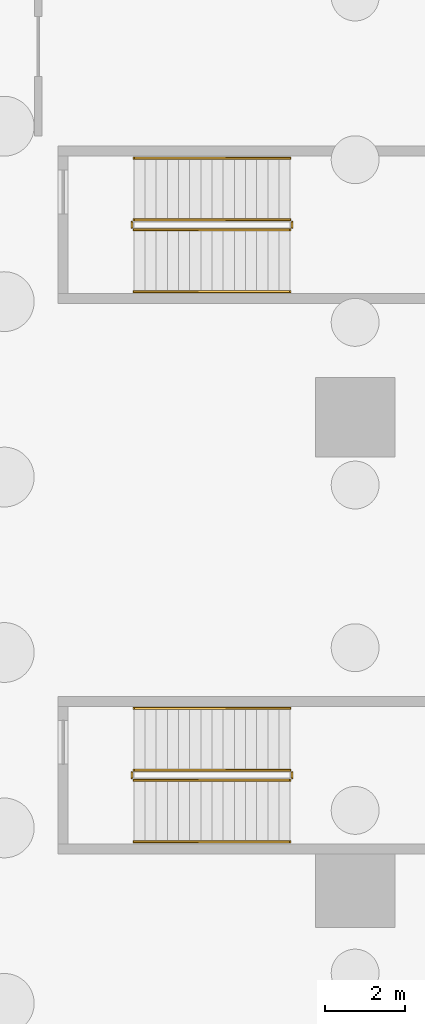
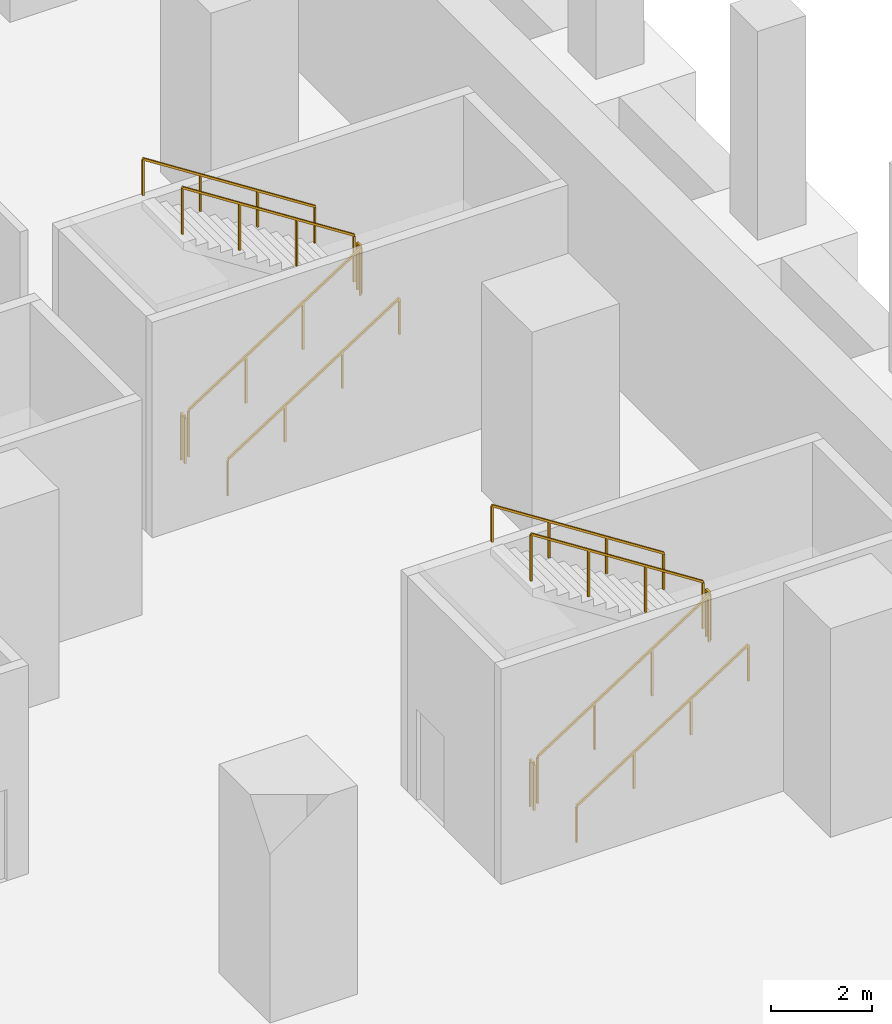
# One storey, part 13 of 14: 12 railings.
"""IFC4 building model written with IfcOpenShell, lengths in metres."""

from ifc_helpers import new_model, si_unit, direction, frame, origin, origin_2d, place, context, subcontext, project, spatial, rectangle, extrude, source, transform, mapped, material, type_object, element, save


model = new_model("IFC4")

# Units and contexts
model_context = context("Model", 3, precision=1e-05, world=origin(), true_north=direction((0.0, 1.0)))
body_context = subcontext(model_context, "Body", "Model", "MODEL_VIEW")
ifc_project = project(units=[si_unit("LENGTHUNIT", "METRE"), si_unit("AREAUNIT", "SQUARE_METRE"), si_unit("VOLUMEUNIT", "CUBIC_METRE"), si_unit("PLANEANGLEUNIT", "RADIAN"), si_unit("MASSUNIT", "GRAM", prefix="KILO")], contexts=[model_context])

# Site, building, storey
site_placement = place(None, origin())
site = spatial("IfcSite", under=ifc_project, at=site_placement, CompositionType="ELEMENT")
building_placement = place(site_placement, origin())
building = spatial("IfcBuilding", under=site, at=building_placement, Name="Vardaveli Station Tower", CompositionType="ELEMENT")
storey_placement = place(building_placement, frame((0.0, 0.0, -11.39990234375)))
storey = spatial("IfcBuildingStorey", under=building, at=storey_placement, Name="B02", CompositionType="ELEMENT", Elevation=-11.39990234375)

# Railings
ifc_material = material(Name="Brushed AISI 316 stainless steel", Category="steel")
railing_type_1 = type_object("IfcRailingType", Name="RL-GUARD-1150", PredefinedType="GUARDRAIL", material=ifc_material)
shared_shape_1 = source(origin(), body_context, "Body", "SweptSolid", [
    extrude(rectangle(XDim=0.048095703125, YDim=0.048095703125, at=origin_2d()), frame((0.0, 0.0, 1.1259765625), z_axis=(0.841171666519, 0.0, 0.540768182723), x_axis=(0.0, 1.0, 0.0)), (0.0, 0.0, 1.0), 4.66015625),
    extrude(rectangle(XDim=0.0419921875, YDim=0.0419921875, at=origin_2d()), origin(), (0.0, 0.0, 1.0), 1.101806640625),
    extrude(rectangle(XDim=0.0419921875, YDim=0.0419921875, at=origin_2d()), frame((1.306640625, 0.0, 0.840087890625)), (0.0, 0.0, 1.0), 1.101806640625),
    extrude(rectangle(XDim=0.0419921875, YDim=0.0419921875, at=origin_2d()), frame((2.61328125, 0.0, 1.679931640625)), (0.0, 0.0, 1.0), 1.101806640625),
    extrude(rectangle(XDim=0.0419921875, YDim=0.0419921875, at=origin_2d()), frame((3.919921875, 0.0, 2.52001953125)), (0.0, 0.0, 1.0), 1.101806640625),
])
for number, where, name in (
    (1, (67.25, 19.800048828125, 0.179931640625), "B02 ST-C1 stair guard 1"),
    (2, (67.25, 33.60009765625, 0.179931640625), "B02 ST-C2 stair guard 1"),
):
    element("IfcRailing", number, at=place(storey_placement, frame(where)), inside=storey, type_object=railing_type_1, Name=name, PredefinedType="GUARDRAIL", context=body_context, shape_type="MappedRepresentation", body=[
        mapped(shared_shape_1, transform((0.0, 0.0, 0.0), scale=1.0)),
    ])
shared_shape_2 = source(origin(), body_context, "Body", "SweptSolid", [
    extrude(rectangle(XDim=0.048095703125, YDim=0.048095703125, at=origin_2d()), frame((0.0, 0.0, 1.1259765625), z_axis=(0.0, 1.0, 0.0), x_axis=(-1.0, 0.0, 0.0)), (0.0, 0.0, 1.0), 0.14990234375),
    extrude(rectangle(XDim=0.0419921875, YDim=0.0419921875, at=origin_2d()), origin(), (0.0, 0.0, 1.0), 1.101806640625),
    extrude(rectangle(XDim=0.0419921875, YDim=0.0419921875, at=origin_2d()), frame((0.0, 0.14990234375, 0.0)), (0.0, 0.0, 1.0), 1.101806640625),
])
for number, where, name in (
    (3, (71.219970703125, 19.85009765625, 2.699951171875), "B02 ST-C1 stair guard 2"),
    (4, (67.199951171875, 19.85009765625, 0.0), "B02 ST-C1 stair guard 4"),
):
    element("IfcRailing", number, at=place(storey_placement, frame(where)), inside=storey, type_object=railing_type_1, Name=name, PredefinedType="GUARDRAIL", context=body_context, shape_type="MappedRepresentation", body=[
        mapped(shared_shape_2, transform((0.0, 0.0, 0.0), scale=1.0)),
    ])
shared_shape_3 = source(origin(), body_context, "Body", "SweptSolid", [
    extrude(rectangle(XDim=0.048095703125, YDim=0.048095703125, at=origin_2d()), frame((0.0, 0.0, 1.1259765625), z_axis=(-0.841171666519, 0.0, 0.540768182723), x_axis=(0.0, -1.0, 0.0)), (0.0, 0.0, 1.0), 4.66015625),
    extrude(rectangle(XDim=0.0419921875, YDim=0.0419921875, at=origin_2d()), origin(), (0.0, 0.0, 1.0), 1.101806640625),
    extrude(rectangle(XDim=0.0419921875, YDim=0.0419921875, at=origin_2d()), frame((-1.306640625, 0.0, 0.840087890625)), (0.0, 0.0, 1.0), 1.101806640625),
    extrude(rectangle(XDim=0.0419921875, YDim=0.0419921875, at=origin_2d()), frame((-2.61328125, 0.0, 1.679931640625)), (0.0, 0.0, 1.0), 1.101806640625),
    extrude(rectangle(XDim=0.0419921875, YDim=0.0419921875, at=origin_2d()), frame((-3.919921875, 0.0, 2.52001953125)), (0.0, 0.0, 1.0), 1.101806640625),
])
for number, where, name in (
    (5, (71.169921875, 20.050048828125, 2.8798828125), "B02 ST-C1 stair guard 3"),
    (6, (71.169921875, 33.85009765625, 2.8798828125), "B02 ST-C2 stair guard 3"),
):
    element("IfcRailing", number, at=place(storey_placement, frame(where)), inside=storey, type_object=railing_type_1, Name=name, PredefinedType="GUARDRAIL", context=body_context, shape_type="MappedRepresentation", body=[
        mapped(shared_shape_3, transform((0.0, 0.0, 0.0), scale=1.0)),
    ])
railing_type_2 = type_object("IfcRailingType", Name="RL-HAND-900", PredefinedType="HANDRAIL", material=ifc_material)
shared_shape_4 = source(origin(), body_context, "Body", "SweptSolid", [
    extrude(rectangle(XDim=0.048095703125, YDim=0.048095703125, at=origin_2d()), frame((0.0, 0.0, 0.8759765625), z_axis=(0.841171666519, 0.0, 0.540768182723), x_axis=(0.0, 1.0, 0.0)), (0.0, 0.0, 1.0), 4.66015625),
    extrude(rectangle(XDim=0.0419921875, YDim=0.0419921875, at=origin_2d()), origin(), (0.0, 0.0, 1.0), 0.851806640625),
    extrude(rectangle(XDim=0.0419921875, YDim=0.0419921875, at=origin_2d()), frame((1.306640625, 0.0, 0.840087890625)), (0.0, 0.0, 1.0), 0.851806640625),
    extrude(rectangle(XDim=0.0419921875, YDim=0.0419921875, at=origin_2d()), frame((2.61328125, 0.0, 1.679931640625)), (0.0, 0.0, 1.0), 0.851806640625),
    extrude(rectangle(XDim=0.0419921875, YDim=0.0419921875, at=origin_2d()), frame((3.919921875, 0.0, 2.52001953125)), (0.0, 0.0, 1.0), 0.851806640625),
])
for number, where, name in (
    (7, (67.25, 18.25, 0.179931640625), "B02 ST-C1 stair handrail 1"),
    (8, (67.25, 32.050048828125, 0.179931640625), "B02 ST-C2 stair handrail 1"),
):
    element("IfcRailing", number, at=place(storey_placement, frame(where)), inside=storey, type_object=railing_type_2, Name=name, PredefinedType="HANDRAIL", context=body_context, shape_type="MappedRepresentation", body=[
        mapped(shared_shape_4, transform((0.0, 0.0, 0.0), scale=1.0)),
    ])
shared_shape_5 = source(origin(), body_context, "Body", "SweptSolid", [
    extrude(rectangle(XDim=0.048095703125, YDim=0.048095703125, at=origin_2d()), frame((0.0, 0.0, 0.8759765625), z_axis=(-0.841171666519, 0.0, 0.540768182723), x_axis=(0.0, -1.0, 0.0)), (0.0, 0.0, 1.0), 4.66015625),
    extrude(rectangle(XDim=0.0419921875, YDim=0.0419921875, at=origin_2d()), origin(), (0.0, 0.0, 1.0), 0.851806640625),
    extrude(rectangle(XDim=0.0419921875, YDim=0.0419921875, at=origin_2d()), frame((-1.306640625, 0.0, 0.840087890625)), (0.0, 0.0, 1.0), 0.851806640625),
    extrude(rectangle(XDim=0.0419921875, YDim=0.0419921875, at=origin_2d()), frame((-2.61328125, 0.0, 1.679931640625)), (0.0, 0.0, 1.0), 0.851806640625),
    extrude(rectangle(XDim=0.0419921875, YDim=0.0419921875, at=origin_2d()), frame((-3.919921875, 0.0, 2.52001953125)), (0.0, 0.0, 1.0), 0.851806640625),
])
for number, where, name in (
    (9, (71.169921875, 21.60009765625, 2.8798828125), "B02 ST-C1 stair handrail 2"),
    (10, (71.169921875, 35.39990234375, 2.8798828125), "B02 ST-C2 stair handrail 2"),
):
    element("IfcRailing", number, at=place(storey_placement, frame(where)), inside=storey, type_object=railing_type_2, Name=name, PredefinedType="HANDRAIL", context=body_context, shape_type="MappedRepresentation", body=[
        mapped(shared_shape_5, transform((0.0, 0.0, 0.0), scale=1.0)),
    ])
shared_shape_6 = source(origin(), body_context, "Body", "SweptSolid", [
    extrude(rectangle(XDim=0.048095703125, YDim=0.048095703125, at=origin_2d()), frame((0.0, 0.0, 1.1259765625), z_axis=(0.0, 1.0, 0.0), x_axis=(-1.0, 0.0, 0.0)), (0.0, 0.0, 1.0), 0.150146484375),
    extrude(rectangle(XDim=0.0419921875, YDim=0.0419921875, at=origin_2d()), origin(), (0.0, 0.0, 1.0), 1.101806640625),
    extrude(rectangle(XDim=0.0419921875, YDim=0.0419921875, at=origin_2d()), frame((0.0, 0.150146484375, 0.0)), (0.0, 0.0, 1.0), 1.101806640625),
])
for number, where, name in (
    (11, (71.219970703125, 33.64990234375, 2.699951171875), "B02 ST-C2 stair guard 2"),
    (12, (67.199951171875, 33.64990234375, 0.0), "B02 ST-C2 stair guard 4"),
):
    element("IfcRailing", number, at=place(storey_placement, frame(where)), inside=storey, type_object=railing_type_1, Name=name, PredefinedType="GUARDRAIL", context=body_context, shape_type="MappedRepresentation", body=[
        mapped(shared_shape_6, transform((0.0, 0.0, 0.0), scale=1.0)),
    ])

save(model, "model.ifc")
